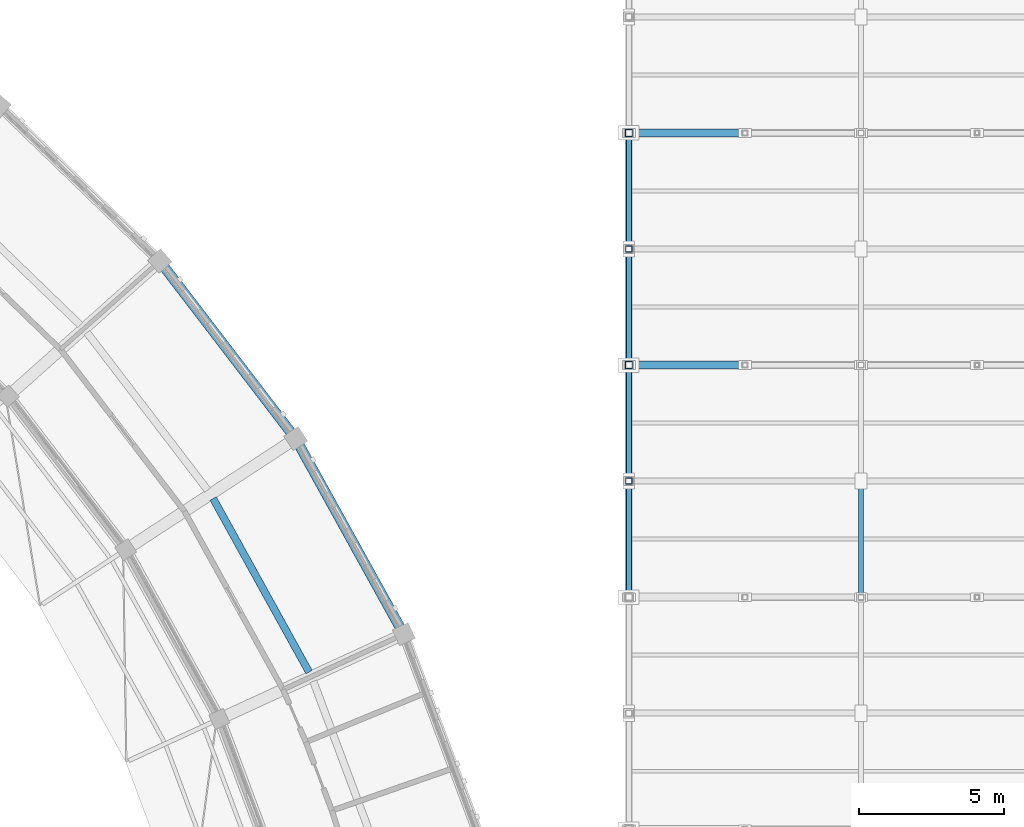
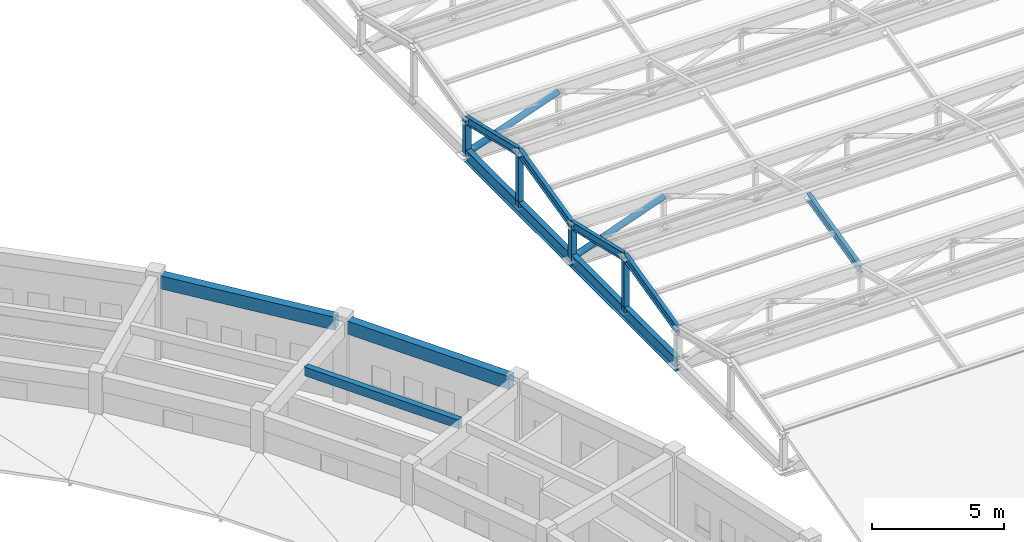
# One storey, part 45 of 112: 13 members, 3 beams.
"""IFC4 building model written with IfcOpenShell, lengths in metres."""

from ifc_helpers import new_model, si_unit, direction, frame, origin, origin_2d, place, context, subcontext, project, spatial, rectangle, hollow_rectangle, hollow_circle, i_section, extrude, material, material_profile, profile_set, type_object, element, save


model = new_model("IFC4")

# Units and contexts
model_context = context("Model", 3, precision=1e-05, world=origin(), true_north=direction((0.0, 1.0)))
body_context = subcontext(model_context, "Body", "Model", "MODEL_VIEW")
ifc_project = project(units=[si_unit("LENGTHUNIT", "METRE"), si_unit("AREAUNIT", "SQUARE_METRE"), si_unit("VOLUMEUNIT", "CUBIC_METRE"), si_unit("PLANEANGLEUNIT", "RADIAN"), si_unit("MASSUNIT", "GRAM", prefix="KILO")], contexts=[model_context])

# Site, building, storey
site_placement = place(None, origin())
site = spatial("IfcSite", under=ifc_project, at=site_placement, CompositionType="ELEMENT")
building_placement = place(site_placement, origin())
building = spatial("IfcBuilding", under=site, at=building_placement, Name="Celadon Cloister-Ring School", CompositionType="ELEMENT")
storey_placement = place(building_placement, frame((0.0, 0.0, 8.5)))
storey = spatial("IfcBuildingStorey", under=building, at=storey_placement, Name="L02", CompositionType="ELEMENT", Elevation=8.5)

# Beam
ifc_material_1 = material(Name="Concrete C35/45", Category="concrete")
ifc_material_profile_1 = material_profile(ifc_material_1, rectangle(XDim=0.25, YDim=0.39990234375, at=origin_2d()), Name="RC250X400")
ifc_profile_set_1 = profile_set([ifc_material_profile_1], Name="Concrete C35/45")
beam_type_1 = type_object("IfcBeamType", Name="JT-02", PredefinedType="JOIST", material=ifc_profile_set_1)
beam_1_placement = place(storey_placement, frame((130.97900390625, 79.416015625, 3.60009765625), z_axis=(-0.483807076249, 0.875174675692, 0.0), x_axis=(-0.875174675692, -0.483807076249, 0.0)))
element("IfcBeam", 1, at=beam_1_placement, inside=storey, type_object=beam_type_1, Name="Beam 0514", PredefinedType="JOIST", context=body_context, shape_type="SweptSolid", body=[
    extrude(rectangle(XDim=0.25, YDim=0.39990234375, at=origin_2d()), origin(), (0.0, 0.0, 1.0), 6.835205078125),
])

# Members
ifc_material_2 = material(Name="Structural steel S355JR", Category="steel")
ifc_material_profile_2 = material_profile(ifc_material_2, hollow_rectangle(XDim=0.25, YDim=0.25, WallThickness=0.010009765625, at=origin_2d()), Name="HSS250X250X10")
ifc_profile_set_2 = profile_set([ifc_material_profile_2], Name="Structural steel S355JR")
member_type_1 = type_object("IfcMemberType", Name="MB-01", PredefinedType="BRACE", material=ifc_profile_set_2)
for number, where, z_axis, x_axis, name in (
    (2, (142.0, 90.0, 0.85009765625), (0.0, 0.0, 1.0), (1.0, 0.0, 0.0), "Structural Member 0431"),
    (3, (142.0, 98.0, 0.85009765625), (0.0, 0.0, 1.0), (1.0, 0.0, 0.0), "Structural Member 0450"),
):
    element("IfcMember", number, at=place(storey_placement, frame(where, z_axis=z_axis, x_axis=x_axis)), inside=storey, type_object=member_type_1, Name=name, PredefinedType="BRACE", context=body_context, shape_type="SweptSolid", body=[
        extrude(hollow_rectangle(XDim=0.25, YDim=0.25, WallThickness=0.010009765625, at=origin_2d()), origin(), (0.0, 0.0, 1.0), 1.75),
    ])
ifc_material_3 = material(Name="Structural steel S355JR", Category="steel")
ifc_material_profile_3 = material_profile(ifc_material_3, hollow_rectangle(XDim=0.219970703125, YDim=0.219970703125, WallThickness=0.010009765625, at=origin_2d()), Name="HSS220X220X10")
ifc_profile_set_3 = profile_set([ifc_material_profile_3], Name="Structural steel S355JR")
member_type_2 = type_object("IfcMemberType", Name="MB-02", PredefinedType="BRACE", material=ifc_profile_set_3)
for number, where, z_axis, x_axis, name in (
    (4, (142.0, 86.0, 0.919921875), (0.0, 0.0, 1.0), (1.0, 0.0, 0.0), "Structural Member 0522"),
    (5, (142.0, 94.0, 0.919921875), (0.0, 0.0, 1.0), (1.0, 0.0, 0.0), "Structural Member 0537"),
):
    element("IfcMember", number, at=place(storey_placement, frame(where, z_axis=z_axis, x_axis=x_axis)), inside=storey, type_object=member_type_2, Name=name, PredefinedType="BRACE", context=body_context, shape_type="SweptSolid", body=[
        extrude(hollow_rectangle(XDim=0.219970703125, YDim=0.219970703125, WallThickness=0.010009765625, at=origin_2d()), origin(), (0.0, 0.0, 1.0), 2.580078125),
    ])
ifc_material_4 = material(Name="Structural steel S355JR", Category="steel")
ifc_material_profile_4 = material_profile(ifc_material_4, hollow_circle(Radius=0.136474609375, WallThickness=0.010009765625, at=origin_2d()), Name="CHS273.0X10")
ifc_profile_set_4 = profile_set([ifc_material_profile_4], Name="Structural steel S355JR")
member_type_3 = type_object("IfcMemberType", Name="MB-07", PredefinedType="BRACE", material=ifc_profile_set_4)
for number, where, z_axis, x_axis, name in (
    (6, (142.0, 90.0, 0.97998046875), (0.94089180426, 0.0, 0.338707266939), (0.0, 1.0, 0.0), "Structural Member 0442"),
    (7, (142.0, 98.0, 0.97998046875), (0.94089180426, 0.0, 0.338707266939), (0.0, 1.0, 0.0), "Structural Member 0461"),
):
    element("IfcMember", number, at=place(storey_placement, frame(where, z_axis=z_axis, x_axis=x_axis)), inside=storey, type_object=member_type_3, Name=name, PredefinedType="BRACE", context=body_context, shape_type="SweptSolid", body=[
        extrude(hollow_circle(Radius=0.136474609375, WallThickness=0.010009765625, at=origin_2d()), origin(), (0.0, 0.0, 1.0), 4.251220703125),
    ])
ifc_material_5 = material(Name="Structural steel S355JR", Category="steel")
ifc_material_profile_5 = material_profile(ifc_material_5, i_section(OverallWidth=0.22900390625, OverallDepth=0.612060546875, WebThickness=0.011962890625, FlangeThickness=0.01953125, at=origin_2d()), Name="W610X125")
ifc_profile_set_5 = profile_set([ifc_material_profile_5], Name="Structural steel S355JR")
member_type_4 = type_object("IfcMemberType", Name="MC-01", PredefinedType="CHORD", material=ifc_profile_set_5)
for number, where, z_axis, x_axis, name in (
    (8, (142.0, 82.0, 0.89990234375), (0.0, 1.0, 0.0), (-1.0, 0.0, 0.0), "Structural Member 0385"),
    (9, (142.0, 90.0, 0.89990234375), (0.0, 1.0, 0.0), (-1.0, 0.0, 0.0), "Structural Member 0387"),
):
    element("IfcMember", number, at=place(storey_placement, frame(where, z_axis=z_axis, x_axis=x_axis)), inside=storey, type_object=member_type_4, Name=name, PredefinedType="CHORD", context=body_context, shape_type="SweptSolid", body=[
        extrude(i_section(OverallWidth=0.22900390625, OverallDepth=0.612060546875, WebThickness=0.011962890625, FlangeThickness=0.01953125, at=origin_2d()), origin(), (0.0, 0.0, 1.0), 8.0),
    ])
ifc_material_6 = material(Name="Structural steel S355JR", Category="steel")
ifc_material_profile_6 = material_profile(ifc_material_6, i_section(OverallWidth=0.1708984375, OverallDepth=0.35498046875, WebThickness=0.007080078125, FlangeThickness=0.01171875, at=origin_2d()), Name="W360X51")
ifc_profile_set_6 = profile_set([ifc_material_profile_6], Name="Structural steel S355JR")
member_type_5 = type_object("IfcMemberType", Name="MR-05", PredefinedType="RAFTER", material=ifc_profile_set_6)
for number, where, z_axis, x_axis, name in (
    (10, (142.0, 82.0, 2.5), (0.0, 0.97293922076, 0.231061188231), (-1.0, 0.0, 0.0), "Structural Member 0525"),
    (11, (142.0, 86.0, 3.449951171875), (0.0, 0.97293922076, -0.231061188231), (-1.0, 0.0, 0.0), "Structural Member 0526"),
    (12, (150.0, 82.0, 2.5), (0.0, 0.97293922076, 0.231061188231), (-1.0, 0.0, 0.0), "Structural Member 0527"),
    (13, (142.0, 90.0, 2.5), (0.0, 0.97293922076, 0.231061188231), (-1.0, 0.0, 0.0), "Structural Member 0540"),
    (14, (142.0, 94.0, 3.449951171875), (0.0, 0.97293922076, -0.231061188231), (-1.0, 0.0, 0.0), "Structural Member 0541"),
):
    element("IfcMember", number, at=place(storey_placement, frame(where, z_axis=z_axis, x_axis=x_axis)), inside=storey, type_object=member_type_5, Name=name, PredefinedType="RAFTER", context=body_context, shape_type="SweptSolid", body=[
        extrude(i_section(OverallWidth=0.1708984375, OverallDepth=0.35498046875, WebThickness=0.007080078125, FlangeThickness=0.01171875, at=origin_2d()), origin(), (0.0, 0.0, 1.0), 4.111328125),
    ])

# Beams
ifc_material_7 = material(Name="Concrete C35/45", Category="concrete")
ifc_material_profile_7 = material_profile(ifc_material_7, rectangle(XDim=0.35009765625, YDim=0.60009765625, at=origin_2d()), Name="RC350X600")
ifc_profile_set_7 = profile_set([ifc_material_profile_7], Name="Concrete C35/45")
beam_type_2 = type_object("IfcBeamType", Name="SP-01", PredefinedType="SPANDREL", material=ifc_profile_set_7)
beam_2_placement = place(storey_placement, frame((134.111083984375, 80.967041015625, 3.5), z_axis=(-0.484030801816, 0.875050960169, 0.0), x_axis=(-0.875050960169, -0.484030801816, 0.0)))
element("IfcBeam", 15, at=beam_2_placement, inside=storey, type_object=beam_type_2, Name="Beam 0512", PredefinedType="SPANDREL", context=body_context, shape_type="SweptSolid", body=[
    extrude(rectangle(XDim=0.35009765625, YDim=0.60009765625, at=origin_2d()), origin(), (0.0, 0.0, 1.0), 7.15283203125),
])
beam_3_placement = place(storey_placement, frame((130.34912109375, 87.68505859375, 3.5), z_axis=(-0.607967976917, 0.793961547585, 0.0), x_axis=(-0.793961547585, -0.607967976917, 0.0)))
element("IfcBeam", 16, at=beam_3_placement, inside=storey, type_object=beam_type_2, Name="Beam 0515", PredefinedType="SPANDREL", context=body_context, shape_type="SweptSolid", body=[
    extrude(rectangle(XDim=0.35009765625, YDim=0.60009765625, at=origin_2d()), origin(), (0.0, 0.0, 1.0), 7.155029296875),
])

save(model, "model.ifc")
